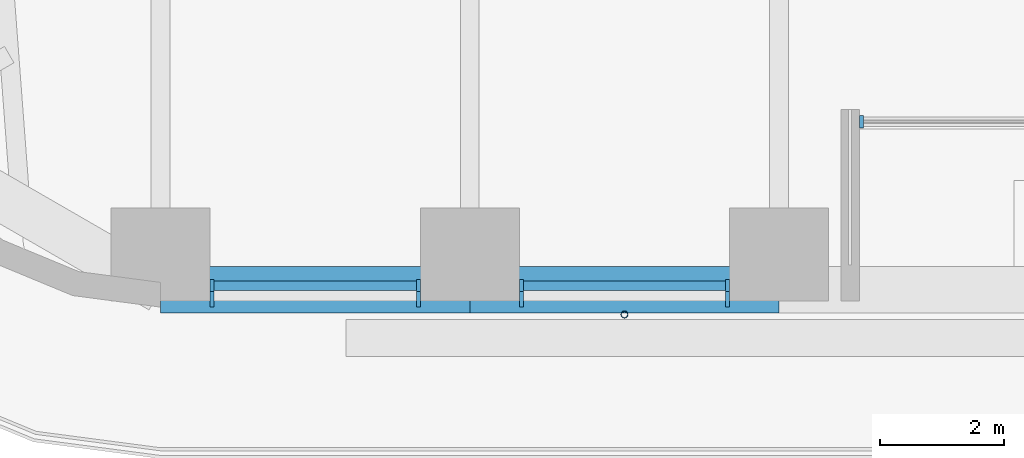
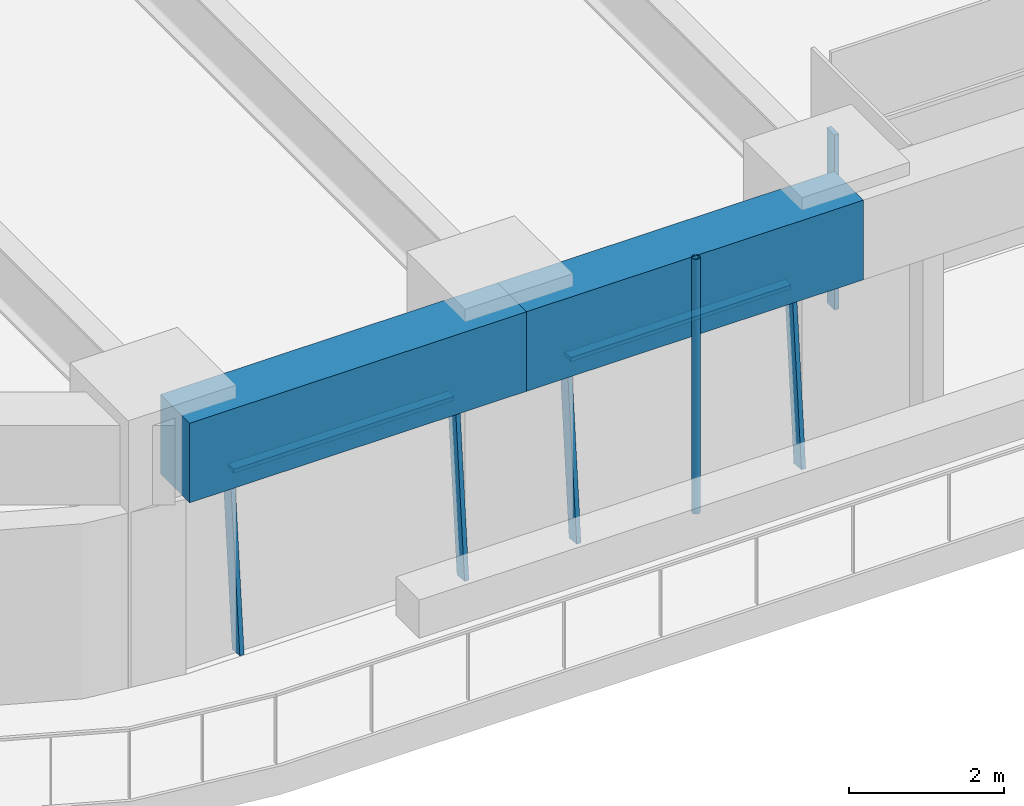
# One storey, part 2 of 24: 8 members, 2 beams, 3 elements without a shape of their own.
"""IFC4 building model written with IfcOpenShell, lengths in metres."""

from ifc_helpers import new_model, si_unit, direction, frame, origin, origin_2d, place, context, subcontext, project, spatial, rectangle, hollow_circle, extrude, material, material_profile, profile_set, type_object, element, aggregate, save


model = new_model("IFC4")

# Units and contexts
model_context = context("Model", 3, precision=1e-05, world=origin(), true_north=direction((0.0, 1.0)))
body_context = subcontext(model_context, "Body", "Model", "MODEL_VIEW")
ifc_project = project(units=[si_unit("LENGTHUNIT", "METRE"), si_unit("AREAUNIT", "SQUARE_METRE"), si_unit("VOLUMEUNIT", "CUBIC_METRE"), si_unit("PLANEANGLEUNIT", "RADIAN"), si_unit("MASSUNIT", "GRAM", prefix="KILO")], contexts=[model_context])

# Site, building, storey
site_placement = place(None, origin())
site = spatial("IfcSite", under=ifc_project, at=site_placement, CompositionType="ELEMENT")
building_placement = place(site_placement, origin())
building = spatial("IfcBuilding", under=site, at=building_placement, Name="Tarfa Lantern Tower", CompositionType="ELEMENT")
storey_placement = place(building_placement, frame((0.0, 0.0, 144.699951171875)))
storey = spatial("IfcBuildingStorey", under=building, at=storey_placement, Name="L32", CompositionType="ELEMENT", Elevation=144.699951171875)

# Curtain wall, members
ifc_material_1 = material(Name="Aluminium framed curtain wall", Category="aluminium")
curtain_wall_type_1 = type_object("IfcCurtainWallType", Name="CW2 CANTED GLAZING MID ZONE 2750", PredefinedType="USERDEFINED", material=ifc_material_1)
curtain_wall_1_placement = place(storey_placement, origin())
curtain_wall_1 = element("IfcCurtainWall", 1, at=curtain_wall_1_placement, inside=storey, type_object=curtain_wall_type_1, Name="CW2 S L32", ObjectType="CURTAIN WALL", PredefinedType="USERDEFINED")
ifc_material_2 = material(Name="Aluminium mullion", Category="aluminium")
ifc_material_profile_1 = material_profile(ifc_material_2, rectangle(XDim=0.06494140625, YDim=0.199951171875, at=origin_2d()), Name="AL MULLION 65x200")
ifc_profile_set_1 = profile_set([ifc_material_profile_1], Name="Aluminium mullion")
member_type_1 = type_object("IfcMemberType", Name="CWM1 MULLION 65x200", PredefinedType="MULLION", material=ifc_profile_set_1)
member_1_placement = place(storey_placement, frame((-14.1787109375, -31.39990234375, 0.0), z_axis=(0.0, 0.090535746043, 0.995893206468), x_axis=(-1.0, 0.0, 0.0)))
member_1 = element("IfcMember", 2, at=member_1_placement, type_object=member_type_1, Name="CW2 mullion 1", PredefinedType="MULLION", context=body_context, shape_type="SweptSolid", body=[
    extrude(rectangle(XDim=0.06494140625, YDim=0.199951171875, at=origin_2d()), origin(), (0.0, 0.0, 1.0), 2.76123046875),
])
member_2_placement = place(storey_placement, frame((-10.83984375, -31.39990234375, 0.0), z_axis=(0.0, 0.090535746043, 0.995893206468), x_axis=(-1.0, 0.0, 0.0)))
member_2 = element("IfcMember", 3, at=member_2_placement, type_object=member_type_1, Name="CW2 mullion 2", PredefinedType="MULLION", context=body_context, shape_type="SweptSolid", body=[
    extrude(rectangle(XDim=0.06494140625, YDim=0.199951171875, at=origin_2d()), origin(), (0.0, 0.0, 1.0), 2.76123046875),
])

curtain_wall_2_placement = place(storey_placement, origin())
curtain_wall_2 = element("IfcCurtainWall", 4, at=curtain_wall_2_placement, inside=storey, type_object=curtain_wall_type_1, Name="CW2 S L32", ObjectType="CURTAIN WALL", PredefinedType="USERDEFINED")
member_3_placement = place(storey_placement, frame((-9.1748046875, -31.39990234375, 0.0), z_axis=(0.0, 0.090535746043, 0.995893206468), x_axis=(-1.0, 0.0, 0.0)))
member_3 = element("IfcMember", 5, at=member_3_placement, type_object=member_type_1, Name="CW2 mullion 1", PredefinedType="MULLION", context=body_context, shape_type="SweptSolid", body=[
    extrude(rectangle(XDim=0.06494140625, YDim=0.199951171875, at=origin_2d()), origin(), (0.0, 0.0, 1.0), 2.76123046875),
])
member_4_placement = place(storey_placement, frame((-5.836181640625, -31.39990234375, 0.0), z_axis=(0.0, 0.090535746043, 0.995893206468), x_axis=(-1.0, 0.0, 0.0)))
member_4 = element("IfcMember", 6, at=member_4_placement, type_object=member_type_1, Name="CW2 mullion 2", PredefinedType="MULLION", context=body_context, shape_type="SweptSolid", body=[
    extrude(rectangle(XDim=0.06494140625, YDim=0.199951171875, at=origin_2d()), origin(), (0.0, 0.0, 1.0), 2.76123046875),
])

# Curtain wall, member
curtain_wall_type_2 = type_object("IfcCurtainWallType", Name="CW10 LOGGIA GLAZING 2750", PredefinedType="USERDEFINED", material=ifc_material_1)
curtain_wall_3_placement = place(storey_placement, origin())
curtain_wall_3 = element("IfcCurtainWall", 7, at=curtain_wall_3_placement, inside=storey, type_object=curtain_wall_type_2, Name="CW10 SL L32", ObjectType="CURTAIN WALL", PredefinedType="USERDEFINED")
member_5_placement = place(storey_placement, frame((-3.671142578125, -28.5, 0.0), z_axis=(0.0, 0.0, 1.0), x_axis=(1.0, 0.0, 0.0)))
member_5 = element("IfcMember", 8, at=member_5_placement, type_object=member_type_1, Name="CW10 mullion 1", PredefinedType="MULLION", context=body_context, shape_type="SweptSolid", body=[
    extrude(rectangle(XDim=0.06494140625, YDim=0.199951171875, at=origin_2d()), origin(), (0.0, 0.0, 1.0), 2.75),
])
aggregate(curtain_wall_3, [member_5])

# Member
ifc_material_3 = material(Name="Aluminium transom", Category="aluminium")
ifc_material_profile_2 = material_profile(ifc_material_3, rectangle(XDim=0.14990234375, YDim=0.06494140625, at=origin_2d()), Name="AL TRANSOM 150x65")
ifc_profile_set_2 = profile_set([ifc_material_profile_2], Name="Aluminium transom")
member_type_2 = type_object("IfcMemberType", Name="CWT1 TRANSOM 150x65", PredefinedType="USERDEFINED", material=ifc_profile_set_2)
member_6_placement = place(storey_placement, frame((-14.14599609375, -31.153076171875, 2.717529296875), z_axis=(1.0, 0.0, 0.0), x_axis=(0.0, 1.0, 0.0)))
member_6 = element("IfcMember", 9, at=member_6_placement, type_object=member_type_2, Name="CW2 transom 1.2", ObjectType="TRANSOM", PredefinedType="USERDEFINED", context=body_context, shape_type="SweptSolid", body=[
    extrude(rectangle(XDim=0.14990234375, YDim=0.06494140625, at=origin_2d()), origin(), (0.0, 0.0, 1.0), 3.273681640625),
])

aggregate(curtain_wall_1, [member_1, member_2, member_6])

member_7_placement = place(storey_placement, frame((-9.142333984375, -31.153076171875, 2.717529296875), z_axis=(1.0, 0.0, 0.0), x_axis=(0.0, 1.0, 0.0)))
member_7 = element("IfcMember", 10, at=member_7_placement, type_object=member_type_2, Name="CW2 transom 1.2", ObjectType="TRANSOM", PredefinedType="USERDEFINED", context=body_context, shape_type="SweptSolid", body=[
    extrude(rectangle(XDim=0.14990234375, YDim=0.06494140625, at=origin_2d()), origin(), (0.0, 0.0, 1.0), 3.273681640625),
])

aggregate(curtain_wall_2, [member_3, member_4, member_7])

# Beams
ifc_material_4 = material(Name="Concrete C80/95", Category="concrete")
ifc_material_profile_3 = material_profile(ifc_material_4, rectangle(XDim=0.75, YDim=1.25, at=origin_2d()), Name="RC 750x1250")
ifc_profile_set_3 = profile_set([ifc_material_profile_3], Name="Concrete C80/95")
beam_type = type_object("IfcBeamType", Name="EB2 RC 750x1250", PredefinedType="SPANDREL", material=ifc_profile_set_3)
for number, where, z_axis, x_axis, name in (
    (11, (-15.010986328125, -31.219970703125, 3.375), (1.0, 0.0, 0.0), (0.0, 1.0, 0.0), "Edge beam S0"),
    (12, (-10.00732421875, -31.219970703125, 3.375), (1.0, 0.0, 0.0), (0.0, 1.0, 0.0), "Edge beam S1"),
):
    element("IfcBeam", number, at=place(storey_placement, frame(where, z_axis=z_axis, x_axis=x_axis)), inside=storey, type_object=beam_type, Name=name, PredefinedType="SPANDREL", context=body_context, shape_type="SweptSolid", body=[
        extrude(rectangle(XDim=0.75, YDim=1.25, at=origin_2d()), origin(), (0.0, 0.0, 1.0), 5.003662109375),
    ])

# Member
ifc_material_5 = material(Name="Steel S355", Category="steel")
ifc_material_profile_4 = material_profile(ifc_material_5, hollow_circle(Radius=0.05712890625, WallThickness=0.00634765625, at=origin_2d()), Name="CHS114.3x6.3")
ifc_profile_set_4 = profile_set([ifc_material_profile_4], Name="Steel S355")
member_type_3 = type_object("IfcMemberType", Name="TR1 GREEN WALL TRELLIS CHS114.3x6.3", PredefinedType="USERDEFINED", material=ifc_profile_set_4)
member_8_placement = place(storey_placement, frame((-7.505615234375, -31.6201171875, 0.0), z_axis=(0.0, 0.0, 1.0), x_axis=(1.0, 0.0, 0.0)))
element("IfcMember", 13, at=member_8_placement, inside=storey, type_object=member_type_3, Name="Trellis post S 1", ObjectType="TRELLIS", PredefinedType="USERDEFINED", context=body_context, shape_type="SweptSolid", body=[
    extrude(hollow_circle(Radius=0.05712890625, WallThickness=0.00634765625, at=origin_2d()), origin(), (0.0, 0.0, 1.0), 4.0),
])

save(model, "model.ifc")
